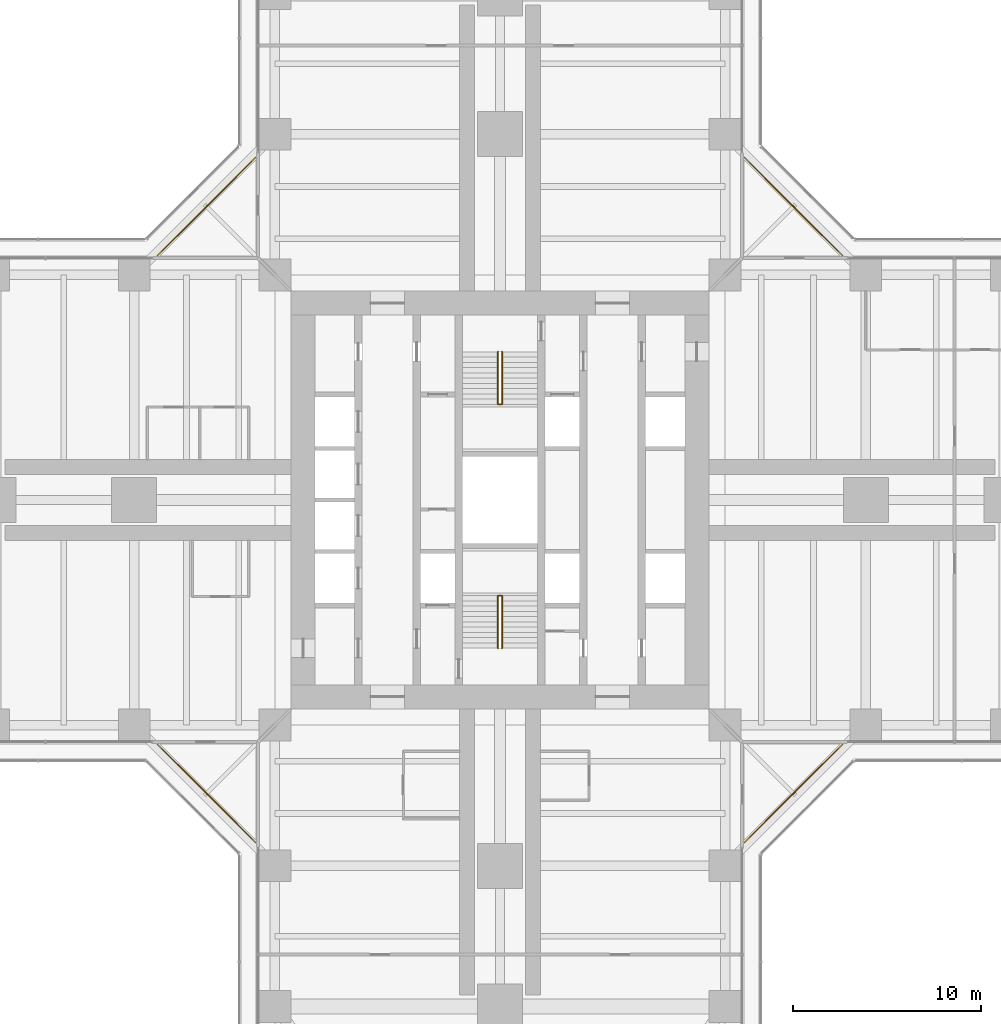
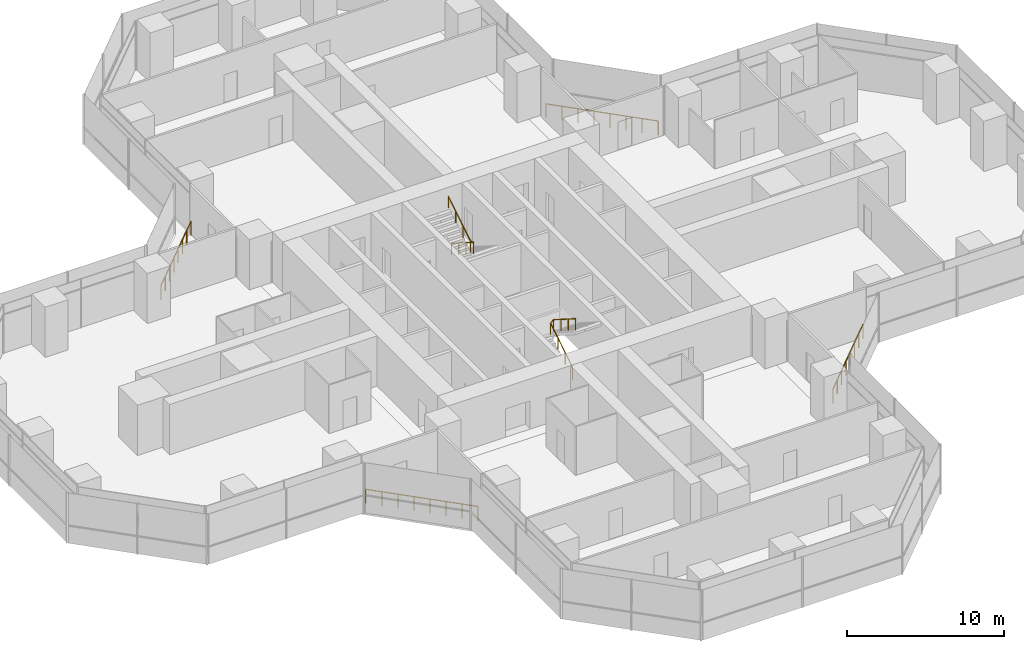
# One storey, part 22 of 22: 6 railings.
"""IFC4 building model written with IfcOpenShell, lengths in metres."""

from ifc_helpers import new_model, si_unit, direction, frame, origin, origin_2d, place, context, subcontext, project, spatial, circle, extrude, material, type_object, element, save


model = new_model("IFC4")

# Units and contexts
model_context = context("Model", 3, precision=1e-05, world=origin(), true_north=direction((0.0, 1.0)))
body_context = subcontext(model_context, "Body", "Model", "MODEL_VIEW")
ifc_project = project(units=[si_unit("LENGTHUNIT", "METRE"), si_unit("AREAUNIT", "SQUARE_METRE"), si_unit("VOLUMEUNIT", "CUBIC_METRE"), si_unit("PLANEANGLEUNIT", "RADIAN"), si_unit("MASSUNIT", "GRAM", prefix="KILO")], contexts=[model_context])

# Site, building, storey
site_placement = place(None, origin())
site = spatial("IfcSite", under=ifc_project, at=site_placement, CompositionType="ELEMENT")
building_placement = place(site_placement, origin())
building = spatial("IfcBuilding", under=site, at=building_placement, Name="Mizan Broadcast Tower", CompositionType="ELEMENT")
storey_placement = place(building_placement, frame((0.0, 0.0, 98.10009765625)))
storey = spatial("IfcBuildingStorey", under=building, at=storey_placement, Name="L21", CompositionType="ELEMENT", Elevation=98.10009765625)

# Railings
ifc_material_1 = material(Name="Stainless steel and glass guard", Category="steel")
railing_type_1 = type_object("IfcRailingType", Name="GUARD 1100", PredefinedType="GUARDRAIL", material=ifc_material_1)
railing_1_placement = place(storey_placement, frame((18.2578125, 13.030029296875, 0.0)))
element("IfcRailing", 1, at=railing_1_placement, inside=storey, type_object=railing_type_1, Name="Winter garden guard L21 E", PredefinedType="GUARDRAIL", context=body_context, shape_type="SweptSolid", body=[
    extrude(circle(Radius=0.02392578125, at=origin_2d()), frame((0.0, 0.0, 1.076171875), z_axis=(-0.707106781187, 0.707106781187, 0.0), x_axis=(-0.707106781187, -0.707106781187, 0.0)), (0.0, 0.0, 1.0), 7.393310546875),
    extrude(circle(Radius=0.02099609375, at=origin_2d()), origin(), (0.0, 0.0, 1.0), 1.052001953125),
    extrude(circle(Radius=0.02099609375, at=origin_2d()), frame((-0.746826171875, 0.746826171875, 0.0)), (0.0, 0.0, 1.0), 1.052001953125),
    extrude(circle(Radius=0.02099609375, at=origin_2d()), frame((-1.49365234375, 1.49365234375, 0.0)), (0.0, 0.0, 1.0), 1.052001953125),
    extrude(circle(Radius=0.02099609375, at=origin_2d()), frame((-2.240478515625, 2.240478515625, 0.0)), (0.0, 0.0, 1.0), 1.052001953125),
    extrude(circle(Radius=0.02099609375, at=origin_2d()), frame((-2.9873046875, 2.9873046875, 0.0)), (0.0, 0.0, 1.0), 1.052001953125),
    extrude(circle(Radius=0.02099609375, at=origin_2d()), frame((-3.734130859375, 3.734130859375, 0.0)), (0.0, 0.0, 1.0), 1.052001953125),
    extrude(circle(Radius=0.02099609375, at=origin_2d()), frame((-4.48095703125, 4.48095703125, 0.0)), (0.0, 0.0, 1.0), 1.052001953125),
    extrude(circle(Radius=0.02099609375, at=origin_2d()), frame((-5.227783203125, 5.227783203125, 0.0)), (0.0, 0.0, 1.0), 1.052001953125),
])
railing_2_placement = place(storey_placement, frame((-13.030029296875, 18.2578125, 0.0)))
element("IfcRailing", 2, at=railing_2_placement, inside=storey, type_object=railing_type_1, Name="Winter garden guard L21 N", PredefinedType="GUARDRAIL", context=body_context, shape_type="SweptSolid", body=[
    extrude(circle(Radius=0.02392578125, at=origin_2d()), frame((0.0, 0.0, 1.076171875), z_axis=(-0.707106781187, -0.707106781187, 0.0), x_axis=(0.707106781187, -0.707106781187, 0.0)), (0.0, 0.0, 1.0), 7.393310546875),
    extrude(circle(Radius=0.02099609375, at=origin_2d()), origin(), (0.0, 0.0, 1.0), 1.052001953125),
    extrude(circle(Radius=0.02099609375, at=origin_2d()), frame((-0.746826171875, -0.746826171875, 0.0)), (0.0, 0.0, 1.0), 1.052001953125),
    extrude(circle(Radius=0.02099609375, at=origin_2d()), frame((-1.49365234375, -1.49365234375, 0.0)), (0.0, 0.0, 1.0), 1.052001953125),
    extrude(circle(Radius=0.02099609375, at=origin_2d()), frame((-2.240478515625, -2.240478515625, 0.0)), (0.0, 0.0, 1.0), 1.052001953125),
    extrude(circle(Radius=0.02099609375, at=origin_2d()), frame((-2.9873046875, -2.9873046875, 0.0)), (0.0, 0.0, 1.0), 1.052001953125),
    extrude(circle(Radius=0.02099609375, at=origin_2d()), frame((-3.734130859375, -3.734130859375, 0.0)), (0.0, 0.0, 1.0), 1.052001953125),
    extrude(circle(Radius=0.02099609375, at=origin_2d()), frame((-4.48095703125, -4.48095703125, 0.0)), (0.0, 0.0, 1.0), 1.052001953125),
    extrude(circle(Radius=0.02099609375, at=origin_2d()), frame((-5.227783203125, -5.227783203125, 0.0)), (0.0, 0.0, 1.0), 1.052001953125),
])
railing_3_placement = place(storey_placement, frame((-18.2578125, -13.030029296875, 0.0)))
element("IfcRailing", 3, at=railing_3_placement, inside=storey, type_object=railing_type_1, Name="Winter garden guard L21 W", PredefinedType="GUARDRAIL", context=body_context, shape_type="SweptSolid", body=[
    extrude(circle(Radius=0.02392578125, at=origin_2d()), frame((0.0, 0.0, 1.076171875), z_axis=(0.707106781187, -0.707106781187, 0.0), x_axis=(0.707106781187, 0.707106781187, 0.0)), (0.0, 0.0, 1.0), 7.393310546875),
    extrude(circle(Radius=0.02099609375, at=origin_2d()), origin(), (0.0, 0.0, 1.0), 1.052001953125),
    extrude(circle(Radius=0.02099609375, at=origin_2d()), frame((0.746826171875, -0.746826171875, 0.0)), (0.0, 0.0, 1.0), 1.052001953125),
    extrude(circle(Radius=0.02099609375, at=origin_2d()), frame((1.49365234375, -1.49365234375, 0.0)), (0.0, 0.0, 1.0), 1.052001953125),
    extrude(circle(Radius=0.02099609375, at=origin_2d()), frame((2.240478515625, -2.240478515625, 0.0)), (0.0, 0.0, 1.0), 1.052001953125),
    extrude(circle(Radius=0.02099609375, at=origin_2d()), frame((2.9873046875, -2.9873046875, 0.0)), (0.0, 0.0, 1.0), 1.052001953125),
    extrude(circle(Radius=0.02099609375, at=origin_2d()), frame((3.734130859375, -3.734130859375, 0.0)), (0.0, 0.0, 1.0), 1.052001953125),
    extrude(circle(Radius=0.02099609375, at=origin_2d()), frame((4.48095703125, -4.48095703125, 0.0)), (0.0, 0.0, 1.0), 1.052001953125),
    extrude(circle(Radius=0.02099609375, at=origin_2d()), frame((5.227783203125, -5.227783203125, 0.0)), (0.0, 0.0, 1.0), 1.052001953125),
])
railing_4_placement = place(storey_placement, frame((13.030029296875, -18.2578125, 0.0)))
element("IfcRailing", 4, at=railing_4_placement, inside=storey, type_object=railing_type_1, Name="Winter garden guard L21 S", PredefinedType="GUARDRAIL", context=body_context, shape_type="SweptSolid", body=[
    extrude(circle(Radius=0.02392578125, at=origin_2d()), frame((0.0, 0.0, 1.076171875), z_axis=(0.707106781187, 0.707106781187, 0.0), x_axis=(-0.707106781187, 0.707106781187, 0.0)), (0.0, 0.0, 1.0), 7.393310546875),
    extrude(circle(Radius=0.02099609375, at=origin_2d()), origin(), (0.0, 0.0, 1.0), 1.052001953125),
    extrude(circle(Radius=0.02099609375, at=origin_2d()), frame((0.746826171875, 0.746826171875, 0.0)), (0.0, 0.0, 1.0), 1.052001953125),
    extrude(circle(Radius=0.02099609375, at=origin_2d()), frame((1.49365234375, 1.49365234375, 0.0)), (0.0, 0.0, 1.0), 1.052001953125),
    extrude(circle(Radius=0.02099609375, at=origin_2d()), frame((2.240478515625, 2.240478515625, 0.0)), (0.0, 0.0, 1.0), 1.052001953125),
    extrude(circle(Radius=0.02099609375, at=origin_2d()), frame((2.9873046875, 2.9873046875, 0.0)), (0.0, 0.0, 1.0), 1.052001953125),
    extrude(circle(Radius=0.02099609375, at=origin_2d()), frame((3.734130859375, 3.734130859375, 0.0)), (0.0, 0.0, 1.0), 1.052001953125),
    extrude(circle(Radius=0.02099609375, at=origin_2d()), frame((4.48095703125, 4.48095703125, 0.0)), (0.0, 0.0, 1.0), 1.052001953125),
    extrude(circle(Radius=0.02099609375, at=origin_2d()), frame((5.227783203125, 5.227783203125, 0.0)), (0.0, 0.0, 1.0), 1.052001953125),
])
ifc_material_2 = material(Name="Stainless steel", Category="steel")
railing_type_2 = type_object("IfcRailingType", Name="HANDRAIL 50", PredefinedType="HANDRAIL", material=ifc_material_2)
railing_5_placement = place(storey_placement, frame((-0.110107421875, -7.89990234375, 0.17724609375)))
element("IfcRailing", 5, at=railing_5_placement, inside=storey, type_object=railing_type_2, Name="Stair A handrail", PredefinedType="HANDRAIL", context=body_context, shape_type="SweptSolid", body=[
    extrude(circle(Radius=0.02392578125, at=origin_2d()), frame((0.0, 0.0, 0.8759765625), z_axis=(0.0, 0.844887892834, 0.53494340686), x_axis=(-1.0, 0.0, 0.0)), (0.0, 0.0, 1.0), 3.313720703125),
    extrude(circle(Radius=0.02392578125, at=origin_2d()), frame((0.0, 2.7998046875, 2.6484375), z_axis=(0.779011685263, 0.0, 0.627009405212), x_axis=(0.0, 1.0, 0.0)), (0.0, 0.0, 1.0), 0.28271484375),
    extrude(circle(Radius=0.02392578125, at=origin_2d()), frame((0.22021484375, 2.7998046875, 2.82568359375), z_axis=(0.0, -0.844887892834, 0.53494340686), x_axis=(1.0, 0.0, 0.0)), (0.0, 0.0, 1.0), 3.313720703125),
    extrude(circle(Radius=0.02099609375, at=origin_2d()), origin(), (0.0, 0.0, 1.0), 0.851806640625),
    extrude(circle(Radius=0.02099609375, at=origin_2d()), frame((0.0, 0.933349609375, 0.5908203125)), (0.0, 0.0, 1.0), 0.851806640625),
    extrude(circle(Radius=0.02099609375, at=origin_2d()), frame((0.0, 1.866455078125, 1.181884765625)), (0.0, 0.0, 1.0), 0.851806640625),
    extrude(circle(Radius=0.02099609375, at=origin_2d()), frame((0.0, 2.7998046875, 1.772705078125)), (0.0, 0.0, 1.0), 0.851806640625),
    extrude(circle(Radius=0.02099609375, at=origin_2d()), frame((0.22021484375, 2.7998046875, 1.949951171875)), (0.0, 0.0, 1.0), 0.851806640625),
    extrude(circle(Radius=0.02099609375, at=origin_2d()), frame((0.22021484375, 1.866455078125, 2.540771484375)), (0.0, 0.0, 1.0), 0.851806640625),
    extrude(circle(Radius=0.02099609375, at=origin_2d()), frame((0.22021484375, 0.933349609375, 3.1318359375)), (0.0, 0.0, 1.0), 0.851806640625),
    extrude(circle(Radius=0.02099609375, at=origin_2d()), frame((0.22021484375, 0.0, 3.72265625)), (0.0, 0.0, 1.0), 0.851806640625),
])
railing_6_placement = place(storey_placement, frame((0.110107421875, 7.89990234375, 0.17724609375)))
element("IfcRailing", 6, at=railing_6_placement, inside=storey, type_object=railing_type_2, Name="Stair B handrail", PredefinedType="HANDRAIL", context=body_context, shape_type="SweptSolid", body=[
    extrude(circle(Radius=0.02392578125, at=origin_2d()), frame((0.0, 0.0, 0.8759765625), z_axis=(0.0, -0.844887892834, 0.53494340686), x_axis=(1.0, 0.0, 0.0)), (0.0, 0.0, 1.0), 3.313720703125),
    extrude(circle(Radius=0.02392578125, at=origin_2d()), frame((0.0, -2.7998046875, 2.6484375), z_axis=(-0.779011685263, 0.0, 0.627009405212), x_axis=(0.0, -1.0, 0.0)), (0.0, 0.0, 1.0), 0.28271484375),
    extrude(circle(Radius=0.02392578125, at=origin_2d()), frame((-0.22021484375, -2.7998046875, 2.82568359375), z_axis=(0.0, 0.844887892834, 0.53494340686), x_axis=(-1.0, 0.0, 0.0)), (0.0, 0.0, 1.0), 3.313720703125),
    extrude(circle(Radius=0.02099609375, at=origin_2d()), origin(), (0.0, 0.0, 1.0), 0.851806640625),
    extrude(circle(Radius=0.02099609375, at=origin_2d()), frame((0.0, -0.933349609375, 0.5908203125)), (0.0, 0.0, 1.0), 0.851806640625),
    extrude(circle(Radius=0.02099609375, at=origin_2d()), frame((0.0, -1.866455078125, 1.181884765625)), (0.0, 0.0, 1.0), 0.851806640625),
    extrude(circle(Radius=0.02099609375, at=origin_2d()), frame((0.0, -2.7998046875, 1.772705078125)), (0.0, 0.0, 1.0), 0.851806640625),
    extrude(circle(Radius=0.02099609375, at=origin_2d()), frame((-0.22021484375, -2.7998046875, 1.949951171875)), (0.0, 0.0, 1.0), 0.851806640625),
    extrude(circle(Radius=0.02099609375, at=origin_2d()), frame((-0.22021484375, -1.866455078125, 2.540771484375)), (0.0, 0.0, 1.0), 0.851806640625),
    extrude(circle(Radius=0.02099609375, at=origin_2d()), frame((-0.22021484375, -0.933349609375, 3.1318359375)), (0.0, 0.0, 1.0), 0.851806640625),
    extrude(circle(Radius=0.02099609375, at=origin_2d()), frame((-0.22021484375, 0.0, 3.72265625)), (0.0, 0.0, 1.0), 0.851806640625),
])

save(model, "model.ifc")
